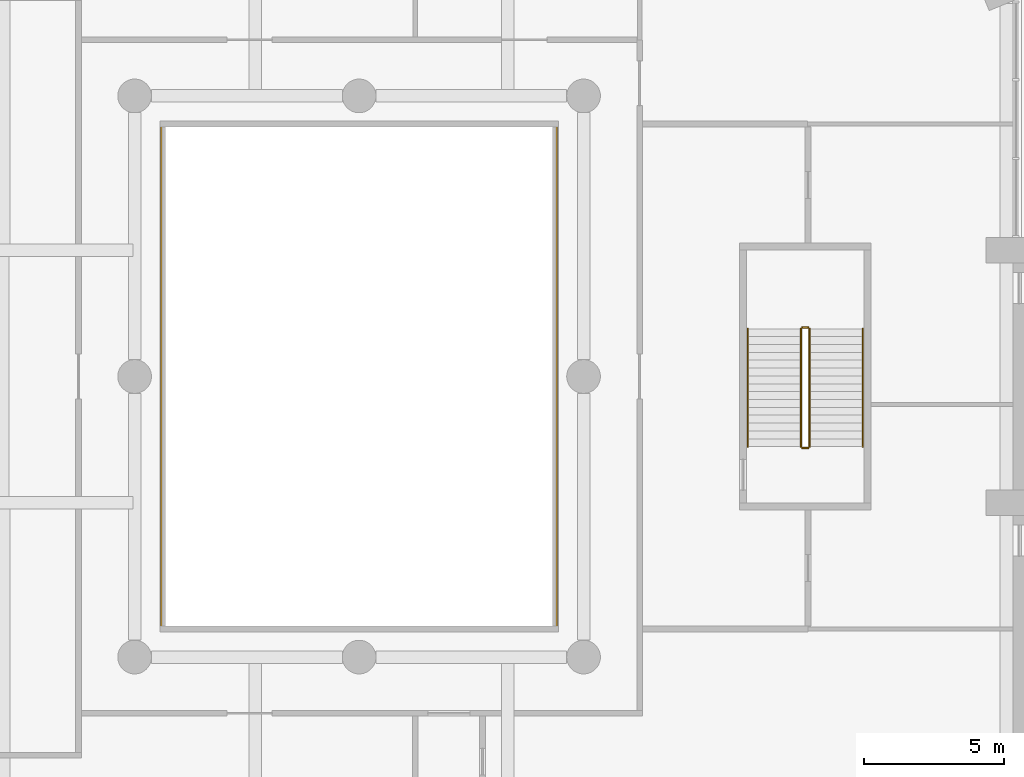
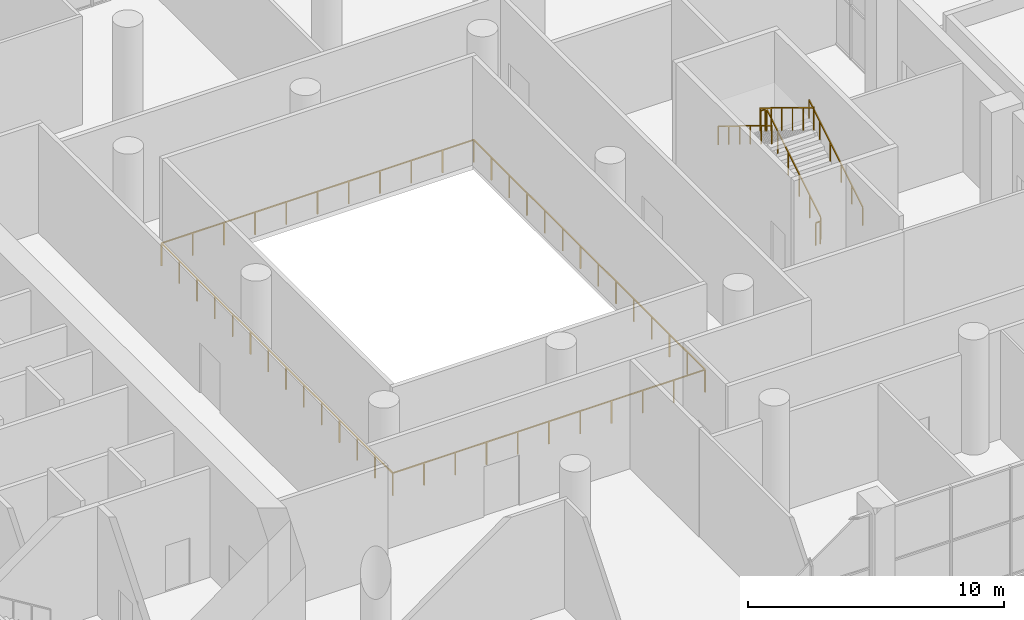
# One storey, part 24 of 26: 7 railings.
"""IFC4 building model written with IfcOpenShell, lengths in metres."""

from ifc_helpers import new_model, si_unit, direction, frame, origin, origin_2d, place, context, subcontext, project, spatial, rectangle, extrude, material, type_object, element, save


model = new_model("IFC4")

# Units and contexts
model_context = context("Model", 3, precision=1e-05, world=origin(), true_north=direction((0.0, 1.0)))
body_context = subcontext(model_context, "Body", "Model", "MODEL_VIEW")
ifc_project = project(units=[si_unit("LENGTHUNIT", "METRE"), si_unit("AREAUNIT", "SQUARE_METRE"), si_unit("VOLUMEUNIT", "CUBIC_METRE"), si_unit("PLANEANGLEUNIT", "RADIAN"), si_unit("MASSUNIT", "GRAM", prefix="KILO")], contexts=[model_context])

# Site, building, storey
site_placement = place(None, origin())
site = spatial("IfcSite", under=ifc_project, at=site_placement, CompositionType="ELEMENT")
building_placement = place(site_placement, origin())
building = spatial("IfcBuilding", under=site, at=building_placement, Name="Cypress Arch Tower", CompositionType="ELEMENT")
storey_placement = place(building_placement, frame((0.0, 0.0, 50.0)))
storey = spatial("IfcBuildingStorey", under=building, at=storey_placement, Name="L06", CompositionType="ELEMENT", Elevation=50.0)

# Railings
ifc_material_1 = material(Name="Stainless steel posts and handrail, laminated glass infill", Category="steel")
railing_type_1 = type_object("IfcRailingType", Name="Atrium guard GR1100A", PredefinedType="GUARDRAIL", material=ifc_material_1)
railing_1_placement = place(storey_placement, frame((8.050048828125, -9.050048828125, 0.0)))
element("IfcRailing", 1, at=railing_1_placement, inside=storey, type_object=railing_type_1, Name="Atrium guard L06", PredefinedType="GUARDRAIL", context=body_context, shape_type="SweptSolid", body=[
    extrude(rectangle(XDim=0.050048828125, YDim=0.050048828125, at=origin_2d()), frame((0.0, 0.0, 1.0751953125), z_axis=(-1.0, 0.0, 0.0), x_axis=(0.0, -1.0, 0.0)), (0.0, 0.0, 1.0), 14.10009765625),
    extrude(rectangle(XDim=0.050048828125, YDim=0.050048828125, at=origin_2d()), frame((-14.10009765625, 0.0, 1.0751953125), z_axis=(0.0, 1.0, 0.0), x_axis=(-1.0, 0.0, 0.0)), (0.0, 0.0, 1.0), 18.10009765625),
    extrude(rectangle(XDim=0.050048828125, YDim=0.050048828125, at=origin_2d()), frame((-14.10009765625, 18.10009765625, 1.0751953125), z_axis=(1.0, 0.0, 0.0), x_axis=(0.0, 1.0, 0.0)), (0.0, 0.0, 1.0), 14.10009765625),
    extrude(rectangle(XDim=0.050048828125, YDim=0.050048828125, at=origin_2d()), frame((0.0, 18.10009765625, 1.0751953125), z_axis=(0.0, -1.0, 0.0), x_axis=(1.0, 0.0, 0.0)), (0.0, 0.0, 1.0), 18.10009765625),
    extrude(rectangle(XDim=0.050048828125, YDim=0.050048828125, at=origin_2d()), origin(), (0.0, 0.0, 1.0), 1.050048828125),
    extrude(rectangle(XDim=0.050048828125, YDim=0.050048828125, at=origin_2d()), frame((-1.409912109375, 0.0, 0.0)), (0.0, 0.0, 1.0), 1.050048828125),
    extrude(rectangle(XDim=0.050048828125, YDim=0.050048828125, at=origin_2d()), frame((-2.820068359375, 0.0, 0.0)), (0.0, 0.0, 1.0), 1.050048828125),
    extrude(rectangle(XDim=0.050048828125, YDim=0.050048828125, at=origin_2d()), frame((-4.22998046875, 0.0, 0.0)), (0.0, 0.0, 1.0), 1.050048828125),
    extrude(rectangle(XDim=0.050048828125, YDim=0.050048828125, at=origin_2d()), frame((-5.64013671875, 0.0, 0.0)), (0.0, 0.0, 1.0), 1.050048828125),
    extrude(rectangle(XDim=0.050048828125, YDim=0.050048828125, at=origin_2d()), frame((-7.050048828125, 0.0, 0.0)), (0.0, 0.0, 1.0), 1.050048828125),
    extrude(rectangle(XDim=0.050048828125, YDim=0.050048828125, at=origin_2d()), frame((-8.4599609375, 0.0, 0.0)), (0.0, 0.0, 1.0), 1.050048828125),
    extrude(rectangle(XDim=0.050048828125, YDim=0.050048828125, at=origin_2d()), frame((-9.8701171875, 0.0, 0.0)), (0.0, 0.0, 1.0), 1.050048828125),
    extrude(rectangle(XDim=0.050048828125, YDim=0.050048828125, at=origin_2d()), frame((-11.280029296875, 0.0, 0.0)), (0.0, 0.0, 1.0), 1.050048828125),
    extrude(rectangle(XDim=0.050048828125, YDim=0.050048828125, at=origin_2d()), frame((-12.690185546875, 0.0, 0.0)), (0.0, 0.0, 1.0), 1.050048828125),
    extrude(rectangle(XDim=0.050048828125, YDim=0.050048828125, at=origin_2d()), frame((-14.10009765625, 0.0, 0.0)), (0.0, 0.0, 1.0), 1.050048828125),
    extrude(rectangle(XDim=0.050048828125, YDim=0.050048828125, at=origin_2d()), frame((-14.10009765625, 1.392333984375, 0.0)), (0.0, 0.0, 1.0), 1.050048828125),
    extrude(rectangle(XDim=0.050048828125, YDim=0.050048828125, at=origin_2d()), frame((-14.10009765625, 2.78466796875, 0.0)), (0.0, 0.0, 1.0), 1.050048828125),
    extrude(rectangle(XDim=0.050048828125, YDim=0.050048828125, at=origin_2d()), frame((-14.10009765625, 4.177001953125, 0.0)), (0.0, 0.0, 1.0), 1.050048828125),
    extrude(rectangle(XDim=0.050048828125, YDim=0.050048828125, at=origin_2d()), frame((-14.10009765625, 5.5693359375, 0.0)), (0.0, 0.0, 1.0), 1.050048828125),
    extrude(rectangle(XDim=0.050048828125, YDim=0.050048828125, at=origin_2d()), frame((-14.10009765625, 6.961669921875, 0.0)), (0.0, 0.0, 1.0), 1.050048828125),
    extrude(rectangle(XDim=0.050048828125, YDim=0.050048828125, at=origin_2d()), frame((-14.10009765625, 8.35400390625, 0.0)), (0.0, 0.0, 1.0), 1.050048828125),
    extrude(rectangle(XDim=0.050048828125, YDim=0.050048828125, at=origin_2d()), frame((-14.10009765625, 9.74609375, 0.0)), (0.0, 0.0, 1.0), 1.050048828125),
    extrude(rectangle(XDim=0.050048828125, YDim=0.050048828125, at=origin_2d()), frame((-14.10009765625, 11.138427734375, 0.0)), (0.0, 0.0, 1.0), 1.050048828125),
    extrude(rectangle(XDim=0.050048828125, YDim=0.050048828125, at=origin_2d()), frame((-14.10009765625, 12.53076171875, 0.0)), (0.0, 0.0, 1.0), 1.050048828125),
    extrude(rectangle(XDim=0.050048828125, YDim=0.050048828125, at=origin_2d()), frame((-14.10009765625, 13.923095703125, 0.0)), (0.0, 0.0, 1.0), 1.050048828125),
    extrude(rectangle(XDim=0.050048828125, YDim=0.050048828125, at=origin_2d()), frame((-14.10009765625, 15.3154296875, 0.0)), (0.0, 0.0, 1.0), 1.050048828125),
    extrude(rectangle(XDim=0.050048828125, YDim=0.050048828125, at=origin_2d()), frame((-14.10009765625, 16.707763671875, 0.0)), (0.0, 0.0, 1.0), 1.050048828125),
    extrude(rectangle(XDim=0.050048828125, YDim=0.050048828125, at=origin_2d()), frame((-14.10009765625, 18.10009765625, 0.0)), (0.0, 0.0, 1.0), 1.050048828125),
    extrude(rectangle(XDim=0.050048828125, YDim=0.050048828125, at=origin_2d()), frame((-12.690185546875, 18.10009765625, 0.0)), (0.0, 0.0, 1.0), 1.050048828125),
    extrude(rectangle(XDim=0.050048828125, YDim=0.050048828125, at=origin_2d()), frame((-11.280029296875, 18.10009765625, 0.0)), (0.0, 0.0, 1.0), 1.050048828125),
    extrude(rectangle(XDim=0.050048828125, YDim=0.050048828125, at=origin_2d()), frame((-9.8701171875, 18.10009765625, 0.0)), (0.0, 0.0, 1.0), 1.050048828125),
    extrude(rectangle(XDim=0.050048828125, YDim=0.050048828125, at=origin_2d()), frame((-8.4599609375, 18.10009765625, 0.0)), (0.0, 0.0, 1.0), 1.050048828125),
    extrude(rectangle(XDim=0.050048828125, YDim=0.050048828125, at=origin_2d()), frame((-7.050048828125, 18.10009765625, 0.0)), (0.0, 0.0, 1.0), 1.050048828125),
    extrude(rectangle(XDim=0.050048828125, YDim=0.050048828125, at=origin_2d()), frame((-5.64013671875, 18.10009765625, 0.0)), (0.0, 0.0, 1.0), 1.050048828125),
    extrude(rectangle(XDim=0.050048828125, YDim=0.050048828125, at=origin_2d()), frame((-4.22998046875, 18.10009765625, 0.0)), (0.0, 0.0, 1.0), 1.050048828125),
    extrude(rectangle(XDim=0.050048828125, YDim=0.050048828125, at=origin_2d()), frame((-2.820068359375, 18.10009765625, 0.0)), (0.0, 0.0, 1.0), 1.050048828125),
    extrude(rectangle(XDim=0.050048828125, YDim=0.050048828125, at=origin_2d()), frame((-1.409912109375, 18.10009765625, 0.0)), (0.0, 0.0, 1.0), 1.050048828125),
    extrude(rectangle(XDim=0.050048828125, YDim=0.050048828125, at=origin_2d()), frame((0.0, 18.10009765625, 0.0)), (0.0, 0.0, 1.0), 1.050048828125),
    extrude(rectangle(XDim=0.050048828125, YDim=0.050048828125, at=origin_2d()), frame((0.0, 16.707763671875, 0.0)), (0.0, 0.0, 1.0), 1.050048828125),
    extrude(rectangle(XDim=0.050048828125, YDim=0.050048828125, at=origin_2d()), frame((0.0, 15.3154296875, 0.0)), (0.0, 0.0, 1.0), 1.050048828125),
    extrude(rectangle(XDim=0.050048828125, YDim=0.050048828125, at=origin_2d()), frame((0.0, 13.923095703125, 0.0)), (0.0, 0.0, 1.0), 1.050048828125),
    extrude(rectangle(XDim=0.050048828125, YDim=0.050048828125, at=origin_2d()), frame((0.0, 12.53076171875, 0.0)), (0.0, 0.0, 1.0), 1.050048828125),
    extrude(rectangle(XDim=0.050048828125, YDim=0.050048828125, at=origin_2d()), frame((0.0, 11.138427734375, 0.0)), (0.0, 0.0, 1.0), 1.050048828125),
    extrude(rectangle(XDim=0.050048828125, YDim=0.050048828125, at=origin_2d()), frame((0.0, 9.74609375, 0.0)), (0.0, 0.0, 1.0), 1.050048828125),
    extrude(rectangle(XDim=0.050048828125, YDim=0.050048828125, at=origin_2d()), frame((0.0, 8.35400390625, 0.0)), (0.0, 0.0, 1.0), 1.050048828125),
    extrude(rectangle(XDim=0.050048828125, YDim=0.050048828125, at=origin_2d()), frame((0.0, 6.961669921875, 0.0)), (0.0, 0.0, 1.0), 1.050048828125),
    extrude(rectangle(XDim=0.050048828125, YDim=0.050048828125, at=origin_2d()), frame((0.0, 5.5693359375, 0.0)), (0.0, 0.0, 1.0), 1.050048828125),
    extrude(rectangle(XDim=0.050048828125, YDim=0.050048828125, at=origin_2d()), frame((0.0, 4.177001953125, 0.0)), (0.0, 0.0, 1.0), 1.050048828125),
    extrude(rectangle(XDim=0.050048828125, YDim=0.050048828125, at=origin_2d()), frame((0.0, 2.78466796875, 0.0)), (0.0, 0.0, 1.0), 1.050048828125),
    extrude(rectangle(XDim=0.050048828125, YDim=0.050048828125, at=origin_2d()), frame((0.0, 1.392333984375, 0.0)), (0.0, 0.0, 1.0), 1.050048828125),
])
ifc_material_2 = material(Name="Black powder-coated steel square bar 48 mm", Category="steel")
railing_type_2 = type_object("IfcRailingType", Name="Stair handrail HR1", PredefinedType="HANDRAIL", material=ifc_material_2)
railing_2_placement = place(storey_placement, frame((18.949951171875, -2.5, 0.171875)))
element("IfcRailing", 2, at=railing_2_placement, inside=storey, type_object=railing_type_2, Name="L06 C stair handrail 1", PredefinedType="HANDRAIL", context=body_context, shape_type="SweptSolid", body=[
    extrude(rectangle(XDim=0.048095703125, YDim=0.048095703125, at=origin_2d()), frame((0.0, 0.0, 0.8759765625), z_axis=(0.0, 0.852242915053, 0.523146264196), x_axis=(-1.0, 0.0, 0.0)), (0.0, 0.0, 1.0), 4.92822265625),
    extrude(rectangle(XDim=0.0419921875, YDim=0.0419921875, at=origin_2d()), origin(), (0.0, 0.0, 1.0), 0.851806640625),
    extrude(rectangle(XDim=0.0419921875, YDim=0.0419921875, at=origin_2d()), frame((0.0, 0.840087890625, 0.515625)), (0.0, 0.0, 1.0), 0.851806640625),
    extrude(rectangle(XDim=0.0419921875, YDim=0.0419921875, at=origin_2d()), frame((0.0, 1.679931640625, 1.03125)), (0.0, 0.0, 1.0), 0.851806640625),
    extrude(rectangle(XDim=0.0419921875, YDim=0.0419921875, at=origin_2d()), frame((0.0, 2.52001953125, 1.546875)), (0.0, 0.0, 1.0), 0.851806640625),
    extrude(rectangle(XDim=0.0419921875, YDim=0.0419921875, at=origin_2d()), frame((0.0, 3.35986328125, 2.0625)), (0.0, 0.0, 1.0), 0.851806640625),
    extrude(rectangle(XDim=0.0419921875, YDim=0.0419921875, at=origin_2d()), frame((0.0, 4.199951171875, 2.578125)), (0.0, 0.0, 1.0), 0.851806640625),
])
railing_3_placement = place(storey_placement, frame((14.85009765625, 1.699951171875, 2.921875)))
element("IfcRailing", 3, at=railing_3_placement, inside=storey, type_object=railing_type_2, Name="L06 C stair handrail 2", PredefinedType="HANDRAIL", context=body_context, shape_type="SweptSolid", body=[
    extrude(rectangle(XDim=0.048095703125, YDim=0.048095703125, at=origin_2d()), frame((0.0, 0.0, 0.8759765625), z_axis=(0.0, -0.852242915053, 0.523146264196), x_axis=(1.0, 0.0, 0.0)), (0.0, 0.0, 1.0), 4.92822265625),
    extrude(rectangle(XDim=0.0419921875, YDim=0.0419921875, at=origin_2d()), origin(), (0.0, 0.0, 1.0), 0.851806640625),
    extrude(rectangle(XDim=0.0419921875, YDim=0.0419921875, at=origin_2d()), frame((0.0, -0.840087890625, 0.515625)), (0.0, 0.0, 1.0), 0.851806640625),
    extrude(rectangle(XDim=0.0419921875, YDim=0.0419921875, at=origin_2d()), frame((0.0, -1.679931640625, 1.03125)), (0.0, 0.0, 1.0), 0.851806640625),
    extrude(rectangle(XDim=0.0419921875, YDim=0.0419921875, at=origin_2d()), frame((0.0, -2.52001953125, 1.546875)), (0.0, 0.0, 1.0), 0.851806640625),
    extrude(rectangle(XDim=0.0419921875, YDim=0.0419921875, at=origin_2d()), frame((0.0, -3.35986328125, 2.0625)), (0.0, 0.0, 1.0), 0.851806640625),
    extrude(rectangle(XDim=0.0419921875, YDim=0.0419921875, at=origin_2d()), frame((0.0, -4.199951171875, 2.578125)), (0.0, 0.0, 1.0), 0.851806640625),
])
ifc_material_3 = material(Name="Black powder-coated steel balusters", Category="steel")
railing_type_3 = type_object("IfcRailingType", Name="Stair well guard G1", PredefinedType="GUARDRAIL", material=ifc_material_3)
railing_4_placement = place(storey_placement, frame((17.050048828125, -2.5, 0.171875)))
element("IfcRailing", 4, at=railing_4_placement, inside=storey, type_object=railing_type_3, Name="L06 C stair guard 1", PredefinedType="GUARDRAIL", context=body_context, shape_type="SweptSolid", body=[
    extrude(rectangle(XDim=0.048095703125, YDim=0.048095703125, at=origin_2d()), frame((0.0, 0.0, 1.076171875), z_axis=(0.0, 0.852242915053, 0.523146264196), x_axis=(-1.0, 0.0, 0.0)), (0.0, 0.0, 1.0), 4.92822265625),
    extrude(rectangle(XDim=0.0419921875, YDim=0.0419921875, at=origin_2d()), origin(), (0.0, 0.0, 1.0), 1.052001953125),
    extrude(rectangle(XDim=0.0419921875, YDim=0.0419921875, at=origin_2d()), frame((0.0, 0.840087890625, 0.515625)), (0.0, 0.0, 1.0), 1.052001953125),
    extrude(rectangle(XDim=0.0419921875, YDim=0.0419921875, at=origin_2d()), frame((0.0, 1.679931640625, 1.03125)), (0.0, 0.0, 1.0), 1.052001953125),
    extrude(rectangle(XDim=0.0419921875, YDim=0.0419921875, at=origin_2d()), frame((0.0, 2.52001953125, 1.546875)), (0.0, 0.0, 1.0), 1.052001953125),
    extrude(rectangle(XDim=0.0419921875, YDim=0.0419921875, at=origin_2d()), frame((0.0, 3.35986328125, 2.0625)), (0.0, 0.0, 1.0), 1.052001953125),
    extrude(rectangle(XDim=0.0419921875, YDim=0.0419921875, at=origin_2d()), frame((0.0, 4.199951171875, 2.578125)), (0.0, 0.0, 1.0), 1.052001953125),
])
railing_5_placement = place(storey_placement, frame((17.0, 1.75, 2.75)))
element("IfcRailing", 5, at=railing_5_placement, inside=storey, type_object=railing_type_3, Name="L06 C stair guard 2", PredefinedType="GUARDRAIL", context=body_context, shape_type="SweptSolid", body=[
    extrude(rectangle(XDim=0.048095703125, YDim=0.048095703125, at=origin_2d()), frame((0.0, 0.0, 1.076171875), z_axis=(-1.0, 0.0, 0.0), x_axis=(0.0, -1.0, 0.0)), (0.0, 0.0, 1.0), 0.199951171875),
    extrude(rectangle(XDim=0.0419921875, YDim=0.0419921875, at=origin_2d()), origin(), (0.0, 0.0, 1.0), 1.052001953125),
    extrude(rectangle(XDim=0.0419921875, YDim=0.0419921875, at=origin_2d()), frame((-0.199951171875, 0.0, 0.0)), (0.0, 0.0, 1.0), 1.052001953125),
])
railing_6_placement = place(storey_placement, frame((16.75, 1.699951171875, 2.921875)))
element("IfcRailing", 6, at=railing_6_placement, inside=storey, type_object=railing_type_3, Name="L06 C stair guard 3", PredefinedType="GUARDRAIL", context=body_context, shape_type="SweptSolid", body=[
    extrude(rectangle(XDim=0.048095703125, YDim=0.048095703125, at=origin_2d()), frame((0.0, 0.0, 1.076171875), z_axis=(0.0, -0.852242915053, 0.523146264196), x_axis=(1.0, 0.0, 0.0)), (0.0, 0.0, 1.0), 4.92822265625),
    extrude(rectangle(XDim=0.0419921875, YDim=0.0419921875, at=origin_2d()), origin(), (0.0, 0.0, 1.0), 1.052001953125),
    extrude(rectangle(XDim=0.0419921875, YDim=0.0419921875, at=origin_2d()), frame((0.0, -0.840087890625, 0.515625)), (0.0, 0.0, 1.0), 1.052001953125),
    extrude(rectangle(XDim=0.0419921875, YDim=0.0419921875, at=origin_2d()), frame((0.0, -1.679931640625, 1.03125)), (0.0, 0.0, 1.0), 1.052001953125),
    extrude(rectangle(XDim=0.0419921875, YDim=0.0419921875, at=origin_2d()), frame((0.0, -2.52001953125, 1.546875)), (0.0, 0.0, 1.0), 1.052001953125),
    extrude(rectangle(XDim=0.0419921875, YDim=0.0419921875, at=origin_2d()), frame((0.0, -3.35986328125, 2.0625)), (0.0, 0.0, 1.0), 1.052001953125),
    extrude(rectangle(XDim=0.0419921875, YDim=0.0419921875, at=origin_2d()), frame((0.0, -4.199951171875, 2.578125)), (0.0, 0.0, 1.0), 1.052001953125),
])
railing_7_placement = place(storey_placement, frame((17.0, -2.550048828125, 0.0)))
element("IfcRailing", 7, at=railing_7_placement, inside=storey, type_object=railing_type_3, Name="L06 C stair guard 4", PredefinedType="GUARDRAIL", context=body_context, shape_type="SweptSolid", body=[
    extrude(rectangle(XDim=0.048095703125, YDim=0.048095703125, at=origin_2d()), frame((0.0, 0.0, 1.076171875), z_axis=(-1.0, 0.0, 0.0), x_axis=(0.0, -1.0, 0.0)), (0.0, 0.0, 1.0), 0.199951171875),
    extrude(rectangle(XDim=0.0419921875, YDim=0.0419921875, at=origin_2d()), origin(), (0.0, 0.0, 1.0), 1.052001953125),
    extrude(rectangle(XDim=0.0419921875, YDim=0.0419921875, at=origin_2d()), frame((-0.199951171875, 0.0, 0.0)), (0.0, 0.0, 1.0), 1.052001953125),
])

save(model, "model.ifc")
